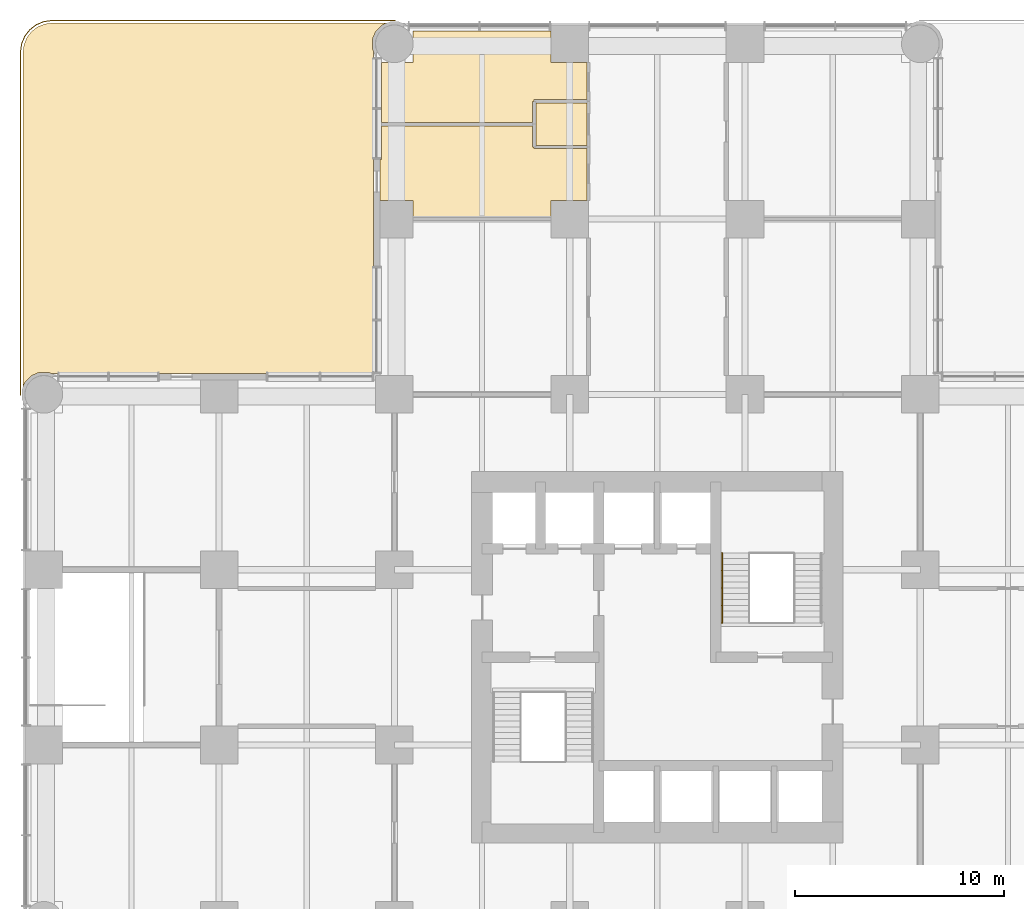
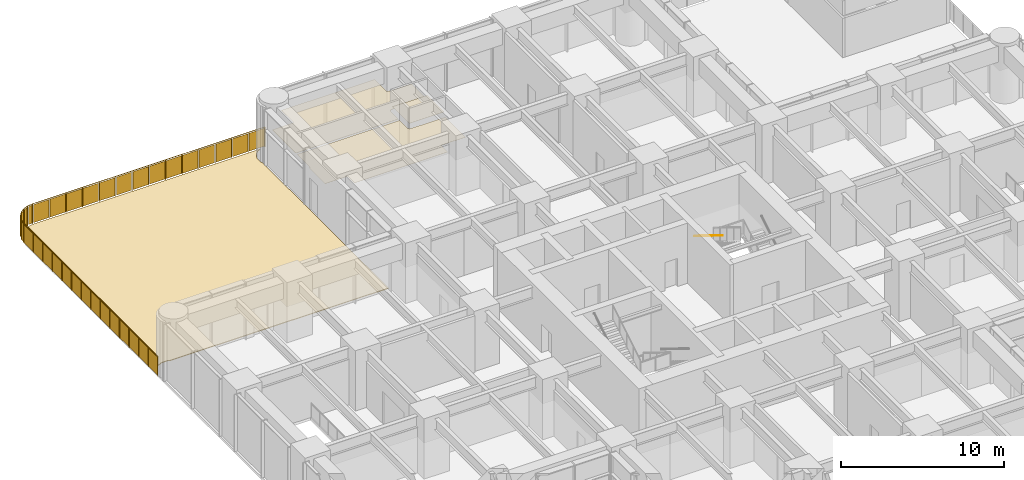
# One storey, part 18 of 21: 4 coverings, 2 railings.
"""IFC4 building model written with IfcOpenShell, lengths in metres."""

from ifc_helpers import new_model, si_unit, direction, frame, origin, origin_2d, place, context, subcontext, project, spatial, polyline, circle, outline, extrude, material, layer, layer_set, constituent, constituent_set, type_object, element, save


model = new_model("IFC4")

# Units and contexts
model_context = context("Model", 3, precision=1e-05, world=origin(), true_north=direction((0.0, 1.0)))
body_context = subcontext(model_context, "Body", "Model", "MODEL_VIEW")
ifc_project = project(units=[si_unit("LENGTHUNIT", "METRE"), si_unit("AREAUNIT", "SQUARE_METRE"), si_unit("VOLUMEUNIT", "CUBIC_METRE"), si_unit("PLANEANGLEUNIT", "RADIAN"), si_unit("MASSUNIT", "GRAM", prefix="KILO")], contexts=[model_context])

# Site, building, storey
site_placement = place(None, origin())
site = spatial("IfcSite", under=ifc_project, at=site_placement, CompositionType="ELEMENT")
building_placement = place(site_placement, origin())
building = spatial("IfcBuilding", under=site, at=building_placement, Name="Torre Alcanfor", CompositionType="ELEMENT")
storey_placement = place(building_placement, frame((0.0, 0.0, 24.0)))
storey = spatial("IfcBuildingStorey", under=building, at=storey_placement, Name="L05", CompositionType="ELEMENT", Elevation=24.0)

# Coverings
ifc_material_1 = material(Name="Moisture-resistant gypsum plasterboard 12.5 mm on concealed suspension frame", Category="gypsum")
ifc_layer_1 = layer(ifc_material_1, 0.012451171875)
ifc_layer_set_1 = layer_set([ifc_layer_1], Name="Moisture-resistant plasterboard ceiling 12.5")
covering_type_1 = type_object("IfcCoveringType", Name="Moisture-resistant plasterboard ceiling 12.5", PredefinedType="CEILING", material=ifc_layer_set_1)
covering_1_placement = place(storey_placement, frame((0.0, 0.0, 2.699951171875)))
element("IfcCovering", 1, at=covering_1_placement, inside=storey, type_object=covering_type_1, Name="Ceiling L05-WCN1", PredefinedType="CEILING", context=body_context, shape_type="SweptSolid", body=[
    extrude(outline(polyline([(16.175048828125, 53.2666015625), (16.10009765625, 53.2666015625), (16.10009765625, 51.300048828125), (17.699951171875, 51.300048828125), (17.699951171875, 50.47509765625), (24.300048828125, 50.47509765625), (24.300048828125, 51.300048828125), (26.02490234375, 51.300048828125), (26.02490234375, 53.77490234375), (23.5, 53.77490234375), (23.5, 53.85009765625), (23.425048828125, 53.85009765625), (23.425048828125, 54.875), (16.175048828125, 54.875), (16.175048828125, 53.2666015625)])), origin(), (0.0, 0.0, 1.0), 0.012451171875),
])
covering_2_placement = place(storey_placement, frame((0.0, 0.0, 3.0)))
element("IfcCovering", 2, at=covering_2_placement, inside=storey, type_object=covering_type_1, Name="Ceiling L05-WCN2", PredefinedType="CEILING", context=body_context, shape_type="SweptSolid", body=[
    extrude(outline(polyline([(26.02490234375, 55.97509765625), (23.574951171875, 55.97509765625), (23.574951171875, 53.925048828125), (26.02490234375, 53.925048828125), (26.02490234375, 55.97509765625)])), origin(), (0.0, 0.0, 1.0), 0.012451171875),
])
covering_3_placement = place(storey_placement, frame((0.0, 0.0, 2.699951171875)))
element("IfcCovering", 3, at=covering_3_placement, inside=storey, type_object=covering_type_1, Name="Ceiling L05-WCN3", PredefinedType="CEILING", context=body_context, shape_type="SweptSolid", body=[
    extrude(outline(polyline([(26.02490234375, 57.89990234375), (24.300048828125, 57.89990234375), (24.300048828125, 59.425048828125), (17.699951171875, 59.425048828125), (17.699951171875, 57.89990234375), (16.175048828125, 57.89990234375), (16.175048828125, 55.02490234375), (23.425048828125, 55.02490234375), (23.425048828125, 56.050048828125), (23.5, 56.050048828125), (23.5, 56.125), (26.02490234375, 56.125), (26.02490234375, 57.89990234375)])), origin(), (0.0, 0.0, 1.0), 0.012451171875),
])

# Railing
ifc_material_2 = material(Name="Steel ASTM A500 Grade C hollow sections, hot-dip galvanised ASTM A123", Category="steel")
ifc_constituent_1 = constituent(ifc_material_2, Name="Posts and rails")
ifc_material_3 = material(Name="Laminated safety glass", Category="glass")
ifc_constituent_2 = constituent(ifc_material_3, Name="Infill")
ifc_constituent_set = constituent_set(constituents=[ifc_constituent_1, ifc_constituent_2], Name="Play deck guard 1500")
railing_type_1 = type_object("IfcRailingType", Name="Play deck guard 1500", PredefinedType="BALUSTRADE", material=ifc_constituent_set)
railing_1_placement = place(storey_placement, frame((16.82275390625, 59.919921875, 0.0)))
element("IfcRailing", 4, at=railing_1_placement, inside=storey, type_object=railing_type_1, Name="Play deck guard L05 3", PredefinedType="BALUSTRADE", context=body_context, shape_type="SweptSolid", body=[
    extrude(circle(Radius=0.02392578125, at=origin_2d()), frame((0.0, 0.0, 1.47607421875), z_axis=(-1.0, 0.0, 0.0), x_axis=(0.0, -1.0, 0.0)), (0.0, 0.0, 1.0), 16.4228515625),
    extrude(circle(Radius=0.02392578125, at=origin_2d()), frame((-16.4228515625, 0.0, 1.47607421875), z_axis=(-0.998052578483, -0.062378286155, 0.0), x_axis=(0.062378286155, -0.998052578483, 0.0)), (0.0, 0.0, 1.0), 0.015625),
    extrude(circle(Radius=0.02392578125, at=origin_2d()), frame((-16.4384765625, -0.0009765625, 1.47607421875), z_axis=(-0.99147702082, -0.130281684003, 0.0), x_axis=(0.130281684003, -0.99147702082, 0.0)), (0.0, 0.0, 1.0), 0.365478515625),
    extrude(circle(Radius=0.02392578125, at=origin_2d()), frame((-16.80078125, -0.048583984375, 1.47607421875), z_axis=(-0.982338566422, -0.18711210789, 0.0), x_axis=(0.18711210789, -0.982338566422, 0.0)), (0.0, 0.0, 1.0), 0.010498046875),
    extrude(circle(Radius=0.02392578125, at=origin_2d()), frame((-16.81103515625, -0.050537109375, 1.47607421875), z_axis=(-0.965842837235, -0.259128566087, 0.0), x_axis=(0.259128566087, -0.965842837235, 0.0)), (0.0, 0.0, 1.0), 0.01025390625),
    extrude(circle(Radius=0.02392578125, at=origin_2d()), frame((-16.821044921875, -0.05322265625, 1.47607421875), z_axis=(-0.946349856068, -0.323143853292, 0.0), x_axis=(0.323143853292, -0.946349856068, 0.0)), (0.0, 0.0, 1.0), 0.010498046875),
    extrude(circle(Radius=0.02392578125, at=origin_2d()), frame((-16.8310546875, -0.056640625, 1.47607421875), z_axis=(-0.923609509168, -0.383334676979, 0.0), x_axis=(0.383334676979, -0.923609509168, 0.0)), (0.0, 0.0, 1.0), 0.365478515625),
    extrude(circle(Radius=0.02392578125, at=origin_2d()), frame((-17.168701171875, -0.19677734375, 1.47607421875), z_axis=(-0.9079593845, -0.419058177462, 0.0), x_axis=(0.419058177462, -0.9079593845, 0.0)), (0.0, 0.0, 1.0), 0.010498046875),
    extrude(circle(Radius=0.02392578125, at=origin_2d()), frame((-17.17822265625, -0.201171875, 1.47607421875), z_axis=(-0.869685915236, -0.493605519458, 0.0), x_axis=(0.493605519458, -0.869685915236, 0.0)), (0.0, 0.0, 1.0), 0.010498046875),
    extrude(circle(Radius=0.02392578125, at=origin_2d()), frame((-17.187255859375, -0.206298828125, 1.47607421875), z_axis=(-0.813733471207, -0.581238193719, 0.0), x_axis=(0.581238193719, -0.813733471207, 0.0)), (0.0, 0.0, 1.0), 0.010498046875),
    extrude(circle(Radius=0.02392578125, at=origin_2d()), frame((-17.19580078125, -0.21240234375, 1.47607421875), z_axis=(-0.793294312563, -0.608838347721, 0.0), x_axis=(0.608838347721, -0.793294312563, 0.0)), (0.0, 0.0, 1.0), 0.365234375),
    extrude(circle(Radius=0.02392578125, at=origin_2d()), frame((-17.485595703125, -0.434814453125, 1.47607421875), z_axis=(-0.762509135373, -0.646977448195, 0.0), x_axis=(0.646977448195, -0.762509135373, 0.0)), (0.0, 0.0, 1.0), 0.010498046875),
    extrude(circle(Radius=0.02392578125, at=origin_2d()), frame((-17.49365234375, -0.441650390625, 1.47607421875), z_axis=(-0.718602141767, -0.695421427516, 0.0), x_axis=(0.695421427516, -0.718602141767, 0.0)), (0.0, 0.0, 1.0), 0.010498046875),
    extrude(circle(Radius=0.02392578125, at=origin_2d()), frame((-17.501220703125, -0.448974609375, 1.47607421875), z_axis=(-0.633237790257, -0.773957299203, 0.0), x_axis=(0.773957299203, -0.633237790257, 0.0)), (0.0, 0.0, 1.0), 0.010498046875),
    extrude(circle(Radius=0.02392578125, at=origin_2d()), frame((-17.5078125, -0.45703125, 1.47607421875), z_axis=(-0.609258674669, -0.792971542579, 0.0), x_axis=(0.792971542579, -0.609258674669, 0.0)), (0.0, 0.0, 1.0), 0.365478515625),
    extrude(circle(Radius=0.02392578125, at=origin_2d()), frame((-17.73046875, -0.746826171875, 1.47607421875), z_axis=(-0.565528355552, -0.824728851846, 0.0), x_axis=(0.824728851846, -0.565528355552, 0.0)), (0.0, 0.0, 1.0), 0.01025390625),
    extrude(circle(Radius=0.02392578125, at=origin_2d()), frame((-17.736328125, -0.75537109375, 1.47607421875), z_axis=(-0.511075392877, -0.859535888021, 0.0), x_axis=(0.859535888021, -0.511075392877, 0.0)), (0.0, 0.0, 1.0), 0.010498046875),
    extrude(circle(Radius=0.02392578125, at=origin_2d()), frame((-17.74169921875, -0.764404296875, 1.47607421875), z_axis=(-0.419058177462, -0.9079593845, 0.0), x_axis=(0.9079593845, -0.419058177462, 0.0)), (0.0, 0.0, 1.0), 0.010498046875),
    extrude(circle(Radius=0.02392578125, at=origin_2d()), frame((-17.74609375, -0.77392578125, 1.47607421875), z_axis=(-0.382764762462, -0.923845840288, 0.0), x_axis=(0.923845840288, -0.382764762462, 0.0)), (0.0, 0.0, 1.0), 0.365478515625),
    extrude(circle(Radius=0.02392578125, at=origin_2d()), frame((-17.885986328125, -1.111572265625, 1.47607421875), z_axis=(-0.323143853292, -0.946349856068, 0.0), x_axis=(0.946349856068, -0.323143853292, 0.0)), (0.0, 0.0, 1.0), 0.010498046875),
    extrude(circle(Radius=0.02392578125, at=origin_2d()), frame((-17.889404296875, -1.12158203125, 1.47607421875), z_axis=(-0.259128566087, -0.965842837235, 0.0), x_axis=(0.965842837235, -0.259128566087, 0.0)), (0.0, 0.0, 1.0), 0.01025390625),
    extrude(circle(Radius=0.02392578125, at=origin_2d()), frame((-17.89208984375, -1.131591796875, 1.47607421875), z_axis=(-0.18711210789, -0.982338566422, 0.0), x_axis=(0.982338566422, -0.18711210789, 0.0)), (0.0, 0.0, 1.0), 0.010498046875),
    extrude(circle(Radius=0.02392578125, at=origin_2d()), frame((-17.89404296875, -1.141845703125, 1.47607421875), z_axis=(-0.130281684003, -0.99147702082, 0.0), x_axis=(0.99147702082, -0.130281684003, 0.0)), (0.0, 0.0, 1.0), 0.365478515625),
    extrude(circle(Radius=0.02392578125, at=origin_2d()), frame((-17.941650390625, -1.504150390625, 1.47607421875), z_axis=(-0.076696498885, -0.997054485502, 0.0), x_axis=(0.997054485502, -0.076696498885, 0.0)), (0.0, 0.0, 1.0), 0.015869140625),
    extrude(circle(Radius=0.02392578125, at=origin_2d()), frame((-17.94287109375, -1.52001953125, 1.47607421875), z_axis=(0.0, -1.0, 0.0), x_axis=(1.0, 0.0, 0.0)), (0.0, 0.0, 1.0), 16.422607421875),
    extrude(circle(Radius=0.02099609375, at=origin_2d()), origin(), (0.0, 0.0, 1.0), 1.451904296875),
    extrude(circle(Radius=0.02099609375, at=origin_2d()), frame((-1.173095703125, 0.0, 0.0)), (0.0, 0.0, 1.0), 1.451904296875),
    extrude(circle(Radius=0.02099609375, at=origin_2d()), frame((-2.34619140625, 0.0, 0.0)), (0.0, 0.0, 1.0), 1.451904296875),
    extrude(circle(Radius=0.02099609375, at=origin_2d()), frame((-3.519287109375, 0.0, 0.0)), (0.0, 0.0, 1.0), 1.451904296875),
    extrude(circle(Radius=0.02099609375, at=origin_2d()), frame((-4.692138671875, 0.0, 0.0)), (0.0, 0.0, 1.0), 1.451904296875),
    extrude(circle(Radius=0.02099609375, at=origin_2d()), frame((-5.865234375, 0.0, 0.0)), (0.0, 0.0, 1.0), 1.451904296875),
    extrude(circle(Radius=0.02099609375, at=origin_2d()), frame((-7.038330078125, 0.0, 0.0)), (0.0, 0.0, 1.0), 1.451904296875),
    extrude(circle(Radius=0.02099609375, at=origin_2d()), frame((-8.21142578125, 0.0, 0.0)), (0.0, 0.0, 1.0), 1.451904296875),
    extrude(circle(Radius=0.02099609375, at=origin_2d()), frame((-9.384521484375, 0.0, 0.0)), (0.0, 0.0, 1.0), 1.451904296875),
    extrude(circle(Radius=0.02099609375, at=origin_2d()), frame((-10.5576171875, 0.0, 0.0)), (0.0, 0.0, 1.0), 1.451904296875),
    extrude(circle(Radius=0.02099609375, at=origin_2d()), frame((-11.730712890625, 0.0, 0.0)), (0.0, 0.0, 1.0), 1.451904296875),
    extrude(circle(Radius=0.02099609375, at=origin_2d()), frame((-12.903564453125, 0.0, 0.0)), (0.0, 0.0, 1.0), 1.451904296875),
    extrude(circle(Radius=0.02099609375, at=origin_2d()), frame((-14.07666015625, 0.0, 0.0)), (0.0, 0.0, 1.0), 1.451904296875),
    extrude(circle(Radius=0.02099609375, at=origin_2d()), frame((-15.249755859375, 0.0, 0.0)), (0.0, 0.0, 1.0), 1.451904296875),
    extrude(circle(Radius=0.02099609375, at=origin_2d()), frame((-16.4228515625, 0.0, 0.0)), (0.0, 0.0, 1.0), 1.451904296875),
    extrude(circle(Radius=0.02099609375, at=origin_2d()), frame((-16.4384765625, -0.0009765625, 0.0)), (0.0, 0.0, 1.0), 1.451904296875),
    extrude(circle(Radius=0.02099609375, at=origin_2d()), frame((-16.80078125, -0.048583984375, 0.0)), (0.0, 0.0, 1.0), 1.451904296875),
    extrude(circle(Radius=0.02099609375, at=origin_2d()), frame((-16.81103515625, -0.050537109375, 0.0)), (0.0, 0.0, 1.0), 1.451904296875),
    extrude(circle(Radius=0.02099609375, at=origin_2d()), frame((-16.821044921875, -0.05322265625, 0.0)), (0.0, 0.0, 1.0), 1.451904296875),
    extrude(circle(Radius=0.02099609375, at=origin_2d()), frame((-16.8310546875, -0.056640625, 0.0)), (0.0, 0.0, 1.0), 1.451904296875),
    extrude(circle(Radius=0.02099609375, at=origin_2d()), frame((-17.168701171875, -0.19677734375, 0.0)), (0.0, 0.0, 1.0), 1.451904296875),
    extrude(circle(Radius=0.02099609375, at=origin_2d()), frame((-17.17822265625, -0.201171875, 0.0)), (0.0, 0.0, 1.0), 1.451904296875),
    extrude(circle(Radius=0.02099609375, at=origin_2d()), frame((-17.187255859375, -0.206298828125, 0.0)), (0.0, 0.0, 1.0), 1.451904296875),
    extrude(circle(Radius=0.02099609375, at=origin_2d()), frame((-17.19580078125, -0.21240234375, 0.0)), (0.0, 0.0, 1.0), 1.451904296875),
    extrude(circle(Radius=0.02099609375, at=origin_2d()), frame((-17.485595703125, -0.434814453125, 0.0)), (0.0, 0.0, 1.0), 1.451904296875),
    extrude(circle(Radius=0.02099609375, at=origin_2d()), frame((-17.49365234375, -0.441650390625, 0.0)), (0.0, 0.0, 1.0), 1.451904296875),
    extrude(circle(Radius=0.02099609375, at=origin_2d()), frame((-17.501220703125, -0.448974609375, 0.0)), (0.0, 0.0, 1.0), 1.451904296875),
    extrude(circle(Radius=0.02099609375, at=origin_2d()), frame((-17.5078125, -0.45703125, 0.0)), (0.0, 0.0, 1.0), 1.451904296875),
    extrude(circle(Radius=0.02099609375, at=origin_2d()), frame((-17.73046875, -0.746826171875, 0.0)), (0.0, 0.0, 1.0), 1.451904296875),
    extrude(circle(Radius=0.02099609375, at=origin_2d()), frame((-17.736328125, -0.75537109375, 0.0)), (0.0, 0.0, 1.0), 1.451904296875),
    extrude(circle(Radius=0.02099609375, at=origin_2d()), frame((-17.74169921875, -0.764404296875, 0.0)), (0.0, 0.0, 1.0), 1.451904296875),
    extrude(circle(Radius=0.02099609375, at=origin_2d()), frame((-17.74609375, -0.77392578125, 0.0)), (0.0, 0.0, 1.0), 1.451904296875),
    extrude(circle(Radius=0.02099609375, at=origin_2d()), frame((-17.885986328125, -1.111572265625, 0.0)), (0.0, 0.0, 1.0), 1.451904296875),
    extrude(circle(Radius=0.02099609375, at=origin_2d()), frame((-17.889404296875, -1.12158203125, 0.0)), (0.0, 0.0, 1.0), 1.451904296875),
    extrude(circle(Radius=0.02099609375, at=origin_2d()), frame((-17.89208984375, -1.131591796875, 0.0)), (0.0, 0.0, 1.0), 1.451904296875),
    extrude(circle(Radius=0.02099609375, at=origin_2d()), frame((-17.89404296875, -1.141845703125, 0.0)), (0.0, 0.0, 1.0), 1.451904296875),
    extrude(circle(Radius=0.02099609375, at=origin_2d()), frame((-17.941650390625, -1.504150390625, 0.0)), (0.0, 0.0, 1.0), 1.451904296875),
    extrude(circle(Radius=0.02099609375, at=origin_2d()), frame((-17.94287109375, -1.52001953125, 0.0)), (0.0, 0.0, 1.0), 1.451904296875),
    extrude(circle(Radius=0.02099609375, at=origin_2d()), frame((-17.94287109375, -2.693115234375, 0.0)), (0.0, 0.0, 1.0), 1.451904296875),
    extrude(circle(Radius=0.02099609375, at=origin_2d()), frame((-17.94287109375, -3.8662109375, 0.0)), (0.0, 0.0, 1.0), 1.451904296875),
    extrude(circle(Radius=0.02099609375, at=origin_2d()), frame((-17.94287109375, -5.0390625, 0.0)), (0.0, 0.0, 1.0), 1.451904296875),
    extrude(circle(Radius=0.02099609375, at=origin_2d()), frame((-17.94287109375, -6.212158203125, 0.0)), (0.0, 0.0, 1.0), 1.451904296875),
    extrude(circle(Radius=0.02099609375, at=origin_2d()), frame((-17.94287109375, -7.38525390625, 0.0)), (0.0, 0.0, 1.0), 1.451904296875),
    extrude(circle(Radius=0.02099609375, at=origin_2d()), frame((-17.94287109375, -8.558349609375, 0.0)), (0.0, 0.0, 1.0), 1.451904296875),
    extrude(circle(Radius=0.02099609375, at=origin_2d()), frame((-17.94287109375, -9.7314453125, 0.0)), (0.0, 0.0, 1.0), 1.451904296875),
    extrude(circle(Radius=0.02099609375, at=origin_2d()), frame((-17.94287109375, -10.904296875, 0.0)), (0.0, 0.0, 1.0), 1.451904296875),
    extrude(circle(Radius=0.02099609375, at=origin_2d()), frame((-17.94287109375, -12.077392578125, 0.0)), (0.0, 0.0, 1.0), 1.451904296875),
    extrude(circle(Radius=0.02099609375, at=origin_2d()), frame((-17.94287109375, -13.25048828125, 0.0)), (0.0, 0.0, 1.0), 1.451904296875),
    extrude(circle(Radius=0.02099609375, at=origin_2d()), frame((-17.94287109375, -14.423583984375, 0.0)), (0.0, 0.0, 1.0), 1.451904296875),
    extrude(circle(Radius=0.02099609375, at=origin_2d()), frame((-17.94287109375, -15.596435546875, 0.0)), (0.0, 0.0, 1.0), 1.451904296875),
    extrude(circle(Radius=0.02099609375, at=origin_2d()), frame((-17.94287109375, -16.76953125, 0.0)), (0.0, 0.0, 1.0), 1.451904296875),
    extrude(circle(Radius=0.02099609375, at=origin_2d()), frame((-17.94287109375, -17.942626953125, 0.0)), (0.0, 0.0, 1.0), 1.451904296875),
    extrude(outline(polyline([(0.041015625, 0.050048828125), (1.132080078125, 0.050048828125), (1.132080078125, 1.402099609375), (0.041015625, 1.402099609375), (0.041015625, 0.050048828125)])), frame((0.0, -0.001953125, 0.0), z_axis=(0.0, 1.0, 0.0), x_axis=(-1.0, 0.0, 0.0)), (0.0, 0.0, 1.0), 0.00390625),
    extrude(outline(polyline([(1.214111328125, 0.050048828125), (2.30517578125, 0.050048828125), (2.30517578125, 1.402099609375), (1.214111328125, 1.402099609375), (1.214111328125, 0.050048828125)])), frame((0.0, -0.001953125, 0.0), z_axis=(0.0, 1.0, 0.0), x_axis=(-1.0, 0.0, 0.0)), (0.0, 0.0, 1.0), 0.00390625),
    extrude(outline(polyline([(2.38720703125, 0.050048828125), (3.478271484375, 0.050048828125), (3.478271484375, 1.402099609375), (2.38720703125, 1.402099609375), (2.38720703125, 0.050048828125)])), frame((0.0, -0.001953125, 0.0), z_axis=(0.0, 1.0, 0.0), x_axis=(-1.0, 0.0, 0.0)), (0.0, 0.0, 1.0), 0.00390625),
    extrude(outline(polyline([(3.560302734375, 0.050048828125), (4.651123046875, 0.050048828125), (4.651123046875, 1.402099609375), (3.560302734375, 1.402099609375), (3.560302734375, 0.050048828125)])), frame((0.0, -0.001953125, 0.0), z_axis=(0.0, 1.0, 0.0), x_axis=(-1.0, 0.0, 0.0)), (0.0, 0.0, 1.0), 0.00390625),
    extrude(outline(polyline([(4.733154296875, 0.050048828125), (5.82421875, 0.050048828125), (5.82421875, 1.402099609375), (4.733154296875, 1.402099609375), (4.733154296875, 0.050048828125)])), frame((0.0, -0.001953125, 0.0), z_axis=(0.0, 1.0, 0.0), x_axis=(-1.0, 0.0, 0.0)), (0.0, 0.0, 1.0), 0.00390625),
    extrude(outline(polyline([(5.90625, 0.050048828125), (6.997314453125, 0.050048828125), (6.997314453125, 1.402099609375), (5.90625, 1.402099609375), (5.90625, 0.050048828125)])), frame((0.0, -0.001953125, 0.0), z_axis=(0.0, 1.0, 0.0), x_axis=(-1.0, 0.0, 0.0)), (0.0, 0.0, 1.0), 0.00390625),
    extrude(outline(polyline([(7.079345703125, 0.050048828125), (8.17041015625, 0.050048828125), (8.17041015625, 1.402099609375), (7.079345703125, 1.402099609375), (7.079345703125, 0.050048828125)])), frame((0.0, -0.001953125, 0.0), z_axis=(0.0, 1.0, 0.0), x_axis=(-1.0, 0.0, 0.0)), (0.0, 0.0, 1.0), 0.00390625),
    extrude(outline(polyline([(8.25244140625, 0.050048828125), (9.343505859375, 0.050048828125), (9.343505859375, 1.402099609375), (8.25244140625, 1.402099609375), (8.25244140625, 0.050048828125)])), frame((0.0, -0.001953125, 0.0), z_axis=(0.0, 1.0, 0.0), x_axis=(-1.0, 0.0, 0.0)), (0.0, 0.0, 1.0), 0.00390625),
    extrude(outline(polyline([(9.425537109375, 0.050048828125), (10.5166015625, 0.050048828125), (10.5166015625, 1.402099609375), (9.425537109375, 1.402099609375), (9.425537109375, 0.050048828125)])), frame((0.0, -0.001953125, 0.0), z_axis=(0.0, 1.0, 0.0), x_axis=(-1.0, 0.0, 0.0)), (0.0, 0.0, 1.0), 0.00390625),
    extrude(outline(polyline([(10.5986328125, 0.050048828125), (11.689697265625, 0.050048828125), (11.689697265625, 1.402099609375), (10.5986328125, 1.402099609375), (10.5986328125, 0.050048828125)])), frame((0.0, -0.001953125, 0.0), z_axis=(0.0, 1.0, 0.0), x_axis=(-1.0, 0.0, 0.0)), (0.0, 0.0, 1.0), 0.00390625),
    extrude(outline(polyline([(11.771728515625, 0.050048828125), (12.862548828125, 0.050048828125), (12.862548828125, 1.402099609375), (11.771728515625, 1.402099609375), (11.771728515625, 0.050048828125)])), frame((0.0, -0.001953125, 0.0), z_axis=(0.0, 1.0, 0.0), x_axis=(-1.0, 0.0, 0.0)), (0.0, 0.0, 1.0), 0.00390625),
    extrude(outline(polyline([(12.944580078125, 0.050048828125), (14.03564453125, 0.050048828125), (14.03564453125, 1.402099609375), (12.944580078125, 1.402099609375), (12.944580078125, 0.050048828125)])), frame((0.0, -0.001953125, 0.0), z_axis=(0.0, 1.0, 0.0), x_axis=(-1.0, 0.0, 0.0)), (0.0, 0.0, 1.0), 0.00390625),
    extrude(outline(polyline([(14.11767578125, 0.050048828125), (15.208740234375, 0.050048828125), (15.208740234375, 1.402099609375), (14.11767578125, 1.402099609375), (14.11767578125, 0.050048828125)])), frame((0.0, -0.001953125, 0.0), z_axis=(0.0, 1.0, 0.0), x_axis=(-1.0, 0.0, 0.0)), (0.0, 0.0, 1.0), 0.00390625),
    extrude(outline(polyline([(15.290771484375, 0.050048828125), (16.3818359375, 0.050048828125), (16.3818359375, 1.402099609375), (15.290771484375, 1.402099609375), (15.290771484375, 0.050048828125)])), frame((0.0, -0.001953125, 0.0), z_axis=(0.0, 1.0, 0.0), x_axis=(-1.0, 0.0, 0.0)), (0.0, 0.0, 1.0), 0.00390625),
    extrude(outline(polyline([(0.041015625, 0.050048828125), (0.324462890625, 0.050048828125), (0.324462890625, 1.402099609375), (0.041015625, 1.402099609375), (0.041015625, 0.050048828125)])), frame((-16.438232421875, -0.0029296875, 0.0), z_axis=(-0.130281684003, 0.99147702082, 0.0), x_axis=(-0.99147702082, -0.130281684003, 0.0)), (0.0, 0.0, 1.0), 0.00390625),
    extrude(outline(polyline([(0.041015625, 0.050048828125), (0.324462890625, 0.050048828125), (0.324462890625, 1.402099609375), (0.041015625, 1.402099609375), (0.041015625, 0.050048828125)])), frame((-16.830322265625, -0.058349609375, 0.0), z_axis=(-0.383334676979, 0.923609509168, 0.0), x_axis=(-0.923609509168, -0.383334676979, 0.0)), (0.0, 0.0, 1.0), 0.00390625),
    extrude(outline(polyline([(0.041015625, 0.050048828125), (0.32421875, 0.050048828125), (0.32421875, 1.402099609375), (0.041015625, 1.402099609375), (0.041015625, 0.050048828125)])), frame((-17.194580078125, -0.2138671875, 0.0), z_axis=(-0.608838347721, 0.793294312563, 0.0), x_axis=(-0.793294312563, -0.608838347721, 0.0)), (0.0, 0.0, 1.0), 0.00390625),
    extrude(outline(polyline([(0.041015625, 0.050048828125), (0.324462890625, 0.050048828125), (0.324462890625, 1.402099609375), (0.041015625, 1.402099609375), (0.041015625, 0.050048828125)])), frame((-17.50634765625, -0.458251953125, 0.0), z_axis=(-0.792971542579, 0.609258674669, 0.0), x_axis=(-0.609258674669, -0.792971542579, 0.0)), (0.0, 0.0, 1.0), 0.00390625),
    extrude(outline(polyline([(0.041015625, 0.050048828125), (0.324462890625, 0.050048828125), (0.324462890625, 1.402099609375), (0.041015625, 1.402099609375), (0.041015625, 0.050048828125)])), frame((-17.744384765625, -0.774658203125, 0.0), z_axis=(-0.923845840288, 0.382764762462, 0.0), x_axis=(-0.382764762462, -0.923845840288, 0.0)), (0.0, 0.0, 1.0), 0.00390625),
    extrude(outline(polyline([(0.041015625, 0.050048828125), (0.324462890625, 0.050048828125), (0.324462890625, 1.402099609375), (0.041015625, 1.402099609375), (0.041015625, 0.050048828125)])), frame((-17.89208984375, -1.14208984375, 0.0), z_axis=(-0.99147702082, 0.130281684003, 0.0), x_axis=(-0.130281684003, -0.99147702082, 0.0)), (0.0, 0.0, 1.0), 0.00390625),
    extrude(outline(polyline([(0.041015625, 0.050048828125), (1.132080078125, 0.050048828125), (1.132080078125, 1.402099609375), (0.041015625, 1.402099609375), (0.041015625, 0.050048828125)])), frame((-17.94091796875, -1.52001953125, 0.0), z_axis=(-1.0, 0.0, 0.0), x_axis=(0.0, -1.0, 0.0)), (0.0, 0.0, 1.0), 0.00390625),
    extrude(outline(polyline([(1.214111328125, 0.050048828125), (2.30517578125, 0.050048828125), (2.30517578125, 1.402099609375), (1.214111328125, 1.402099609375), (1.214111328125, 0.050048828125)])), frame((-17.94091796875, -1.52001953125, 0.0), z_axis=(-1.0, 0.0, 0.0), x_axis=(0.0, -1.0, 0.0)), (0.0, 0.0, 1.0), 0.00390625),
    extrude(outline(polyline([(2.38720703125, 0.050048828125), (3.47802734375, 0.050048828125), (3.47802734375, 1.402099609375), (2.38720703125, 1.402099609375), (2.38720703125, 0.050048828125)])), frame((-17.94091796875, -1.52001953125, 0.0), z_axis=(-1.0, 0.0, 0.0), x_axis=(0.0, -1.0, 0.0)), (0.0, 0.0, 1.0), 0.00390625),
    extrude(outline(polyline([(3.56005859375, 0.050048828125), (4.651123046875, 0.050048828125), (4.651123046875, 1.402099609375), (3.56005859375, 1.402099609375), (3.56005859375, 0.050048828125)])), frame((-17.94091796875, -1.52001953125, 0.0), z_axis=(-1.0, 0.0, 0.0), x_axis=(0.0, -1.0, 0.0)), (0.0, 0.0, 1.0), 0.00390625),
    extrude(outline(polyline([(4.733154296875, 0.050048828125), (5.82421875, 0.050048828125), (5.82421875, 1.402099609375), (4.733154296875, 1.402099609375), (4.733154296875, 0.050048828125)])), frame((-17.94091796875, -1.52001953125, 0.0), z_axis=(-1.0, 0.0, 0.0), x_axis=(0.0, -1.0, 0.0)), (0.0, 0.0, 1.0), 0.00390625),
    extrude(outline(polyline([(5.90625, 0.050048828125), (6.997314453125, 0.050048828125), (6.997314453125, 1.402099609375), (5.90625, 1.402099609375), (5.90625, 0.050048828125)])), frame((-17.94091796875, -1.52001953125, 0.0), z_axis=(-1.0, 0.0, 0.0), x_axis=(0.0, -1.0, 0.0)), (0.0, 0.0, 1.0), 0.00390625),
    extrude(outline(polyline([(7.079345703125, 0.050048828125), (8.17041015625, 0.050048828125), (8.17041015625, 1.402099609375), (7.079345703125, 1.402099609375), (7.079345703125, 0.050048828125)])), frame((-17.94091796875, -1.52001953125, 0.0), z_axis=(-1.0, 0.0, 0.0), x_axis=(0.0, -1.0, 0.0)), (0.0, 0.0, 1.0), 0.00390625),
    extrude(outline(polyline([(8.252197265625, 0.050048828125), (9.34326171875, 0.050048828125), (9.34326171875, 1.402099609375), (8.252197265625, 1.402099609375), (8.252197265625, 0.050048828125)])), frame((-17.94091796875, -1.52001953125, 0.0), z_axis=(-1.0, 0.0, 0.0), x_axis=(0.0, -1.0, 0.0)), (0.0, 0.0, 1.0), 0.00390625),
    extrude(outline(polyline([(9.42529296875, 0.050048828125), (10.516357421875, 0.050048828125), (10.516357421875, 1.402099609375), (9.42529296875, 1.402099609375), (9.42529296875, 0.050048828125)])), frame((-17.94091796875, -1.52001953125, 0.0), z_axis=(-1.0, 0.0, 0.0), x_axis=(0.0, -1.0, 0.0)), (0.0, 0.0, 1.0), 0.00390625),
    extrude(outline(polyline([(10.598388671875, 0.050048828125), (11.689453125, 0.050048828125), (11.689453125, 1.402099609375), (10.598388671875, 1.402099609375), (10.598388671875, 0.050048828125)])), frame((-17.94091796875, -1.52001953125, 0.0), z_axis=(-1.0, 0.0, 0.0), x_axis=(0.0, -1.0, 0.0)), (0.0, 0.0, 1.0), 0.00390625),
    extrude(outline(polyline([(11.771484375, 0.050048828125), (12.862548828125, 0.050048828125), (12.862548828125, 1.402099609375), (11.771484375, 1.402099609375), (11.771484375, 0.050048828125)])), frame((-17.94091796875, -1.52001953125, 0.0), z_axis=(-1.0, 0.0, 0.0), x_axis=(0.0, -1.0, 0.0)), (0.0, 0.0, 1.0), 0.00390625),
    extrude(outline(polyline([(12.944580078125, 0.050048828125), (14.035400390625, 0.050048828125), (14.035400390625, 1.402099609375), (12.944580078125, 1.402099609375), (12.944580078125, 0.050048828125)])), frame((-17.94091796875, -1.52001953125, 0.0), z_axis=(-1.0, 0.0, 0.0), x_axis=(0.0, -1.0, 0.0)), (0.0, 0.0, 1.0), 0.00390625),
    extrude(outline(polyline([(14.117431640625, 0.050048828125), (15.20849609375, 0.050048828125), (15.20849609375, 1.402099609375), (14.117431640625, 1.402099609375), (14.117431640625, 0.050048828125)])), frame((-17.94091796875, -1.52001953125, 0.0), z_axis=(-1.0, 0.0, 0.0), x_axis=(0.0, -1.0, 0.0)), (0.0, 0.0, 1.0), 0.00390625),
    extrude(outline(polyline([(15.29052734375, 0.050048828125), (16.381591796875, 0.050048828125), (16.381591796875, 1.402099609375), (15.29052734375, 1.402099609375), (15.29052734375, 0.050048828125)])), frame((-17.94091796875, -1.52001953125, 0.0), z_axis=(-1.0, 0.0, 0.0), x_axis=(0.0, -1.0, 0.0)), (0.0, 0.0, 1.0), 0.00390625),
])

# Covering
ifc_material_4 = material(Name="Rubber safety surfacing on screed", Category="masonry")
ifc_layer_2 = layer(ifc_material_4, 0.050048828125)
ifc_layer_set_2 = layer_set([ifc_layer_2], Name="Play deck rubber surface 50")
covering_type_2 = type_object("IfcCoveringType", Name="Play deck rubber surface 50", PredefinedType="FLOORING", material=ifc_layer_set_2)
covering_4_placement = place(storey_placement, origin())
element("IfcCovering", 5, at=covering_4_placement, inside=storey, type_object=covering_type_2, Name="Play deck surface L05 3", PredefinedType="FLOORING", context=body_context, shape_type="SweptSolid", body=[
    extrude(outline(polyline([(15.800048828125, 43.0), (0.39990234375, 43.0), (0.366455078125, 42.99560546875), (0.210693359375, 43.06005859375), (-0.210693359375, 43.06005859375), (-0.600341796875, 42.898681640625), (-0.898681640625, 42.600341796875), (-1.0, 42.355712890625), (-1.0, 58.39990234375), (-0.952392578125, 58.76220703125), (-0.8125, 59.10009765625), (-0.58984375, 59.389892578125), (-0.300048828125, 59.6123046875), (0.03759765625, 59.752197265625), (0.39990234375, 59.800048828125), (16.4443359375, 59.800048828125), (16.19970703125, 59.698486328125), (15.9013671875, 59.400390625), (15.739990234375, 59.0107421875), (15.739990234375, 58.589111328125), (15.804443359375, 58.43359375), (15.800048828125, 58.39990234375), (15.800048828125, 43.0)])), origin(), (0.0, 0.0, 1.0), 0.050048828125),
])

# Railing
ifc_material_5 = material(Name="Steel ASTM A500 Grade C hollow sections", Category="steel")
railing_type_2 = type_object("IfcRailingType", Name="Stair wall handrail 900", PredefinedType="HANDRAIL", material=ifc_material_5)
railing_2_placement = place(storey_placement, frame((32.514892578125, 34.409912109375, 2.423095703125)))
element("IfcRailing", 6, at=railing_2_placement, inside=storey, type_object=railing_type_2, Name="Stair handrail S2 L05 flight 2", PredefinedType="HANDRAIL", context=body_context, shape_type="SweptSolid", body=[
    extrude(circle(Radius=0.02392578125, at=origin_2d()), frame((0.0, 0.0, 0.8759765625), z_axis=(0.0, -0.850606129759, 0.525803396734), x_axis=(1.0, 0.0, 0.0)), (0.0, 0.0, 1.0), 3.949951171875),
    extrude(circle(Radius=0.008056640625, at=origin_2d()), frame((0.0, 0.0, 0.8759765625), z_axis=(-1.0, 0.0, 0.0), x_axis=(0.0, 0.0, 1.0)), (0.0, 0.0, 1.0), 0.06494140625),
    extrude(circle(Radius=0.008056640625, at=origin_2d()), frame((0.0, -0.83984375, 1.39501953125), z_axis=(-1.0, 0.0, 0.0), x_axis=(0.0, 0.0, 1.0)), (0.0, 0.0, 1.0), 0.06494140625),
    extrude(circle(Radius=0.008056640625, at=origin_2d()), frame((0.0, -1.679931640625, 1.914306640625), z_axis=(-1.0, 0.0, 0.0), x_axis=(0.0, 0.0, 1.0)), (0.0, 0.0, 1.0), 0.06494140625),
    extrude(circle(Radius=0.008056640625, at=origin_2d()), frame((0.0, -2.52001953125, 2.43359375), z_axis=(-1.0, 0.0, 0.0), x_axis=(0.0, 0.0, 1.0)), (0.0, 0.0, 1.0), 0.06494140625),
    extrude(circle(Radius=0.008056640625, at=origin_2d()), frame((0.0, -3.35986328125, 2.95263671875), z_axis=(-1.0, 0.0, 0.0), x_axis=(0.0, 0.0, 1.0)), (0.0, 0.0, 1.0), 0.06494140625),
])

save(model, "model.ifc")
